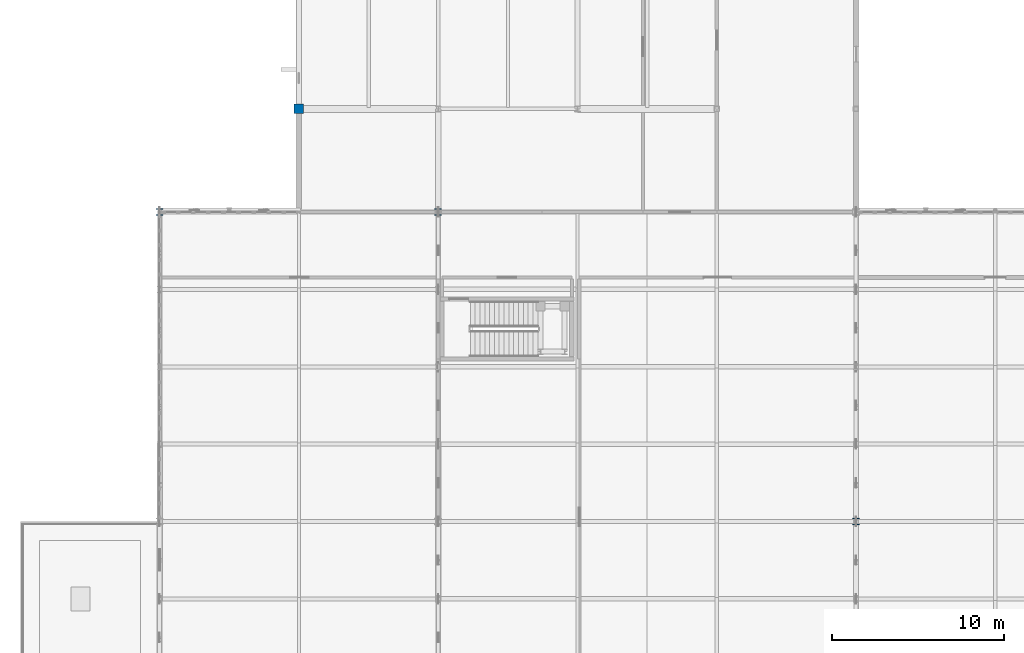
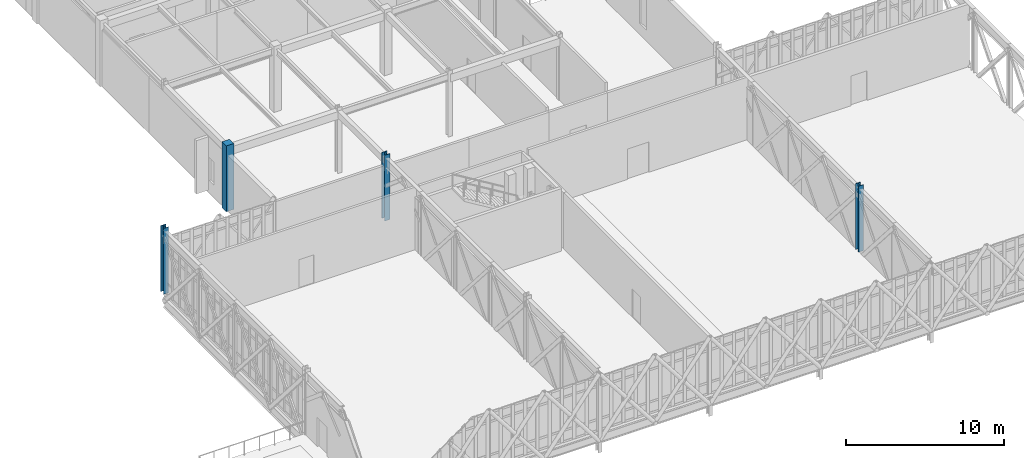
# One storey, part 2 of 107: 4 columns.
"""IFC4 building model written with IfcOpenShell, lengths in metres."""

from ifc_helpers import new_model, si_unit, direction, frame, origin, origin_2d, place, context, subcontext, project, spatial, rectangle, i_section, extrude, material, material_profile, profile_set, type_object, element, save


model = new_model("IFC4")

# Units and contexts
model_context = context("Model", 3, precision=1e-05, world=origin(), true_north=direction((0.0, 1.0)))
body_context = subcontext(model_context, "Body", "Model", "MODEL_VIEW")
ifc_project = project(units=[si_unit("LENGTHUNIT", "METRE"), si_unit("AREAUNIT", "SQUARE_METRE"), si_unit("VOLUMEUNIT", "CUBIC_METRE"), si_unit("PLANEANGLEUNIT", "RADIAN"), si_unit("MASSUNIT", "GRAM", prefix="KILO")], contexts=[model_context])

# Site, building, storey
site_placement = place(None, origin())
site = spatial("IfcSite", under=ifc_project, at=site_placement, CompositionType="ELEMENT")
building_placement = place(site_placement, origin())
building = spatial("IfcBuilding", under=site, at=building_placement, Name="Tarnveldt Square Police Headquarters", CompositionType="ELEMENT")
storey_placement = place(building_placement, frame((0.0, 0.0, 14.699951171875)))
storey = spatial("IfcBuildingStorey", under=building, at=storey_placement, Name="L03", CompositionType="ELEMENT", Elevation=14.699951171875)

# Columns
ifc_material_1 = material(Name="Concrete 40 MPa", Category="concrete")
ifc_material_profile_1 = material_profile(ifc_material_1, rectangle(XDim=0.550048828125, YDim=0.550048828125, at=origin_2d()), Name="RC-C550x550")
ifc_profile_set_1 = profile_set([ifc_material_profile_1], Name="Concrete 40 MPa")
column_type_1 = type_object("IfcColumnType", Name="COL-RC550", PredefinedType="COLUMN", material=ifc_profile_set_1)
column_placement = place(storey_placement, frame((16.199951171875, 40.0, 0.0), z_axis=(0.0, 0.0, 1.0), x_axis=(1.0, 0.0, 0.0)))
element("IfcColumn", 1, at=column_placement, inside=storey, type_object=column_type_1, Name="L03 Column 018", PredefinedType="COLUMN", context=body_context, shape_type="SweptSolid", body=[
    extrude(rectangle(XDim=0.550048828125, YDim=0.550048828125, at=origin_2d()), origin(), (0.0, 0.0, 1.0), 5.10009765625),
])
ifc_material_2 = material(Name="Steel 350W", Category="steel")
ifc_material_profile_2 = material_profile(ifc_material_2, i_section(OverallWidth=0.3740234375, OverallDepth=0.3720703125, WebThickness=0.016357421875, FlangeThickness=0.026123046875, FilletRadius=0.01611328125, at=origin_2d()), Name="W360x196")
ifc_profile_set_2 = profile_set([ifc_material_profile_2], Name="Steel 350W")
column_type_2 = type_object("IfcColumnType", Name="COL-W360x196", PredefinedType="COLUMN", material=ifc_profile_set_2)
for number, where, z_axis, x_axis, name in (
    (2, (8.10009765625, 34.0, 0.0), (0.0, 0.0, 1.0), (1.0, 0.0, 0.0), "L03 Column 011"),
    (3, (24.300048828125, 34.0, 0.0), (0.0, 0.0, 1.0), (1.0, 0.0, 0.0), "L03 Column 030"),
    (4, (48.60009765625, 16.0, 0.0), (0.0, 0.0, 1.0), (1.0, 0.0, 0.0), "L03 Column 070"),
):
    element("IfcColumn", number, at=place(storey_placement, frame(where, z_axis=z_axis, x_axis=x_axis)), inside=storey, type_object=column_type_2, Name=name, PredefinedType="COLUMN", context=body_context, shape_type="SweptSolid", body=[
        extrude(i_section(OverallWidth=0.3740234375, OverallDepth=0.3720703125, WebThickness=0.016357421875, FlangeThickness=0.026123046875, FilletRadius=0.01611328125, at=origin_2d()), origin(), (0.0, 0.0, 1.0), 5.10009765625),
    ])

save(model, "model.ifc")
